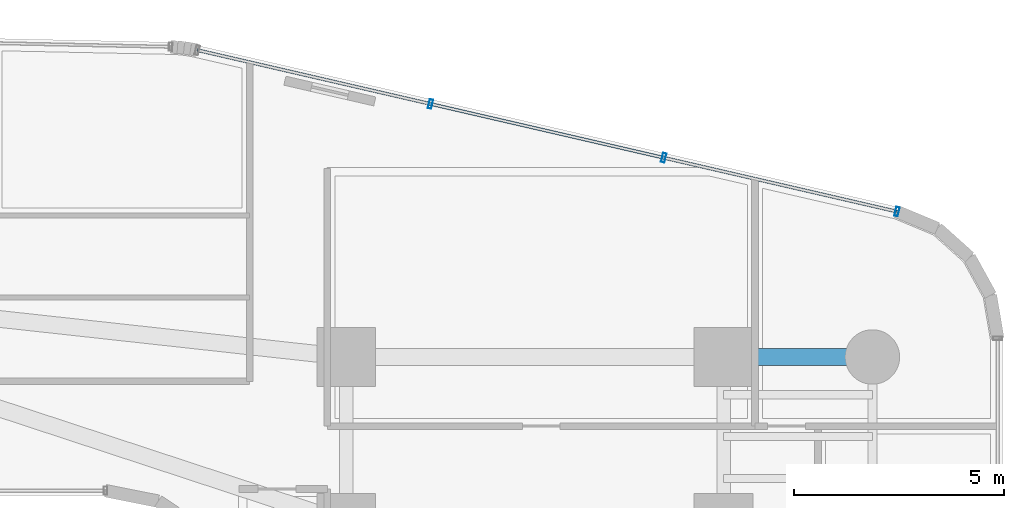
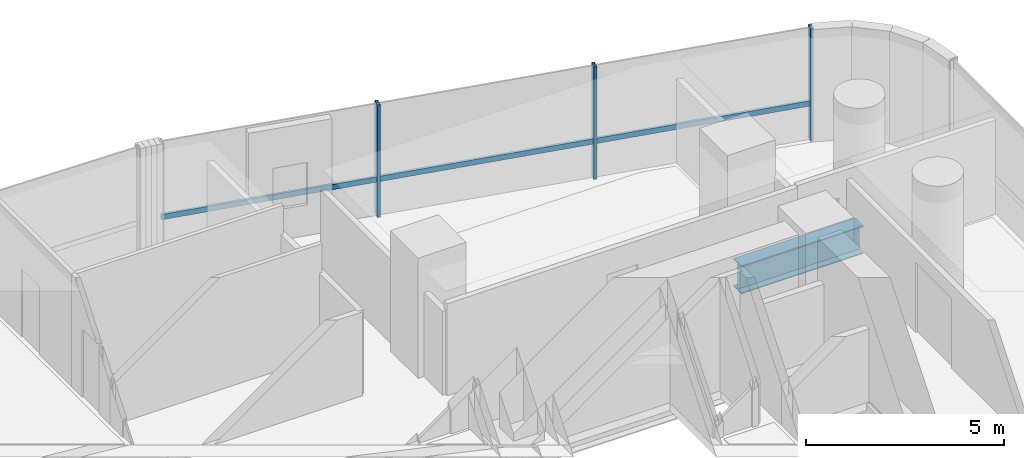
# One storey, part 24 of 41: 4 members, 1 beam, 1 element without a shape of its own.
"""IFC4 building model written with IfcOpenShell, lengths in metres."""

from ifc_helpers import new_model, si_unit, direction, frame, origin, origin_2d, place, context, subcontext, project, spatial, hollow_rectangle, i_section, extrude, source, transform, mapped, material, material_profile, profile_set, type_object, element, aggregate, save


model = new_model("IFC4")

# Units and contexts
model_context = context("Model", 3, precision=1e-05, world=origin(), true_north=direction((0.0, 1.0)))
body_context = subcontext(model_context, "Body", "Model", "MODEL_VIEW")
ifc_project = project(units=[si_unit("LENGTHUNIT", "METRE"), si_unit("AREAUNIT", "SQUARE_METRE"), si_unit("VOLUMEUNIT", "CUBIC_METRE"), si_unit("PLANEANGLEUNIT", "RADIAN"), si_unit("MASSUNIT", "GRAM", prefix="KILO")], contexts=[model_context])

# Site, building, storey
site_placement = place(None, origin())
site = spatial("IfcSite", under=ifc_project, at=site_placement, CompositionType="ELEMENT")
building_placement = place(site_placement, origin())
building = spatial("IfcBuilding", under=site, at=building_placement, Name="Valdorenza Pilgrim Sanctuary Tower", CompositionType="ELEMENT")
storey_placement = place(building_placement, frame((0.0, 0.0, 59.300048828125)))
storey = spatial("IfcBuildingStorey", under=building, at=storey_placement, Name="L14", CompositionType="ELEMENT", Elevation=59.300048828125)

# Beam
ifc_material_1 = material(Name="Steel ASTM A992 Grade 50", Category="steel")
ifc_material_profile_1 = material_profile(ifc_material_1, i_section(OverallWidth=0.39990234375, OverallDepth=0.862060546875, WebThickness=0.019775390625, FlangeThickness=0.032470703125, at=origin_2d()), Name="W33X221")
ifc_profile_set_1 = profile_set([ifc_material_profile_1], Name="Steel ASTM A992 Grade 50")
beam_type = type_object("IfcBeamType", Name="STR-BM-GRD-W33", PredefinedType="BEAM", material=ifc_profile_set_1)
shared_shape_1 = source(origin(), body_context, "Body", "SweptSolid", [
    extrude(i_section(OverallWidth=0.39990234375, OverallDepth=0.862060546875, WebThickness=0.019775390625, FlangeThickness=0.032470703125, at=origin_2d()), origin(), (0.0, 0.0, 1.0), 3.5498046875),
])
beam_placement = place(storey_placement, frame((24.85009765625, 13.5, -0.671142578125), z_axis=(1.0, 0.0, 0.0), x_axis=(0.0, 1.0, 0.0)))
element("IfcBeam", 1, at=beam_placement, inside=storey, type_object=beam_type, Name="L14 Floor Girder WB-XE-N2", PredefinedType="BEAM", context=body_context, shape_type="MappedRepresentation", body=[
    mapped(shared_shape_1, transform((0.0, 0.0, 0.0), x_axis=(1.0, 0.0, 0.0), y_axis=(0.0, 1.0, 0.0), z_axis=(0.0, 0.0, 1.0), scale=1.0)),
])

# Curtain wall, members
ifc_material_2 = material(Name="Curtain-wall IGU glazing", Category="glass")
curtain_wall_type = type_object("IfcCurtainWallType", Name="CW-SYS-03", PredefinedType="NOTDEFINED", material=ifc_material_2)
curtain_wall_placement = place(storey_placement, origin())
curtain_wall = element("IfcCurtainWall", 2, at=curtain_wall_placement, inside=storey, type_object=curtain_wall_type, Name="L14 Curtain Wall CW-L14-1-16", PredefinedType="NOTDEFINED")
ifc_material_3 = material(Name="Anodised aluminium AW-6060", Category="aluminium")
ifc_material_profile_2 = material_profile(ifc_material_3, hollow_rectangle(XDim=0.0849609375, YDim=0.219970703125, WallThickness=0.0048828125, at=origin_2d()), Name="ALU-M 220x85x5")
ifc_profile_set_2 = profile_set([ifc_material_profile_2], Name="Anodised aluminium AW-6060")
member_type_1 = type_object("IfcMemberType", Name="CW-MUL-03", PredefinedType="MULLION", material=ifc_profile_set_2)
shared_shape_2 = source(origin(), body_context, "Body", "SweptSolid", [
    extrude(hollow_rectangle(XDim=0.0849609375, YDim=0.219970703125, WallThickness=0.0048828125, at=origin_2d()), origin(), (0.0, 0.0, 1.0), 3.4599609375),
])
member_1_placement = place(storey_placement, frame((17.861328125, 19.534423828125, 0.0), z_axis=(0.0, 0.0, 1.0), x_axis=(0.974389691758, -0.224866023659, 0.0)))
member_1 = element("IfcMember", 3, at=member_1_placement, type_object=member_type_1, Name="CW-L14-1-16 Mullion 2", PredefinedType="MULLION", context=body_context, shape_type="MappedRepresentation", body=[
    mapped(shared_shape_2, transform((0.0, 0.0, 0.0), x_axis=(1.0, 0.0, 0.0), y_axis=(0.0, 1.0, 0.0), z_axis=(0.0, 0.0, 1.0), scale=1.0)),
])
member_2_placement = place(storey_placement, frame((23.423583984375, 18.2509765625, 0.0), z_axis=(0.0, 0.0, 1.0), x_axis=(0.974389691758, -0.224866023659, 0.0)))
member_2 = element("IfcMember", 4, at=member_2_placement, type_object=member_type_1, Name="CW-L14-1-16 Mullion 3", PredefinedType="MULLION", context=body_context, shape_type="MappedRepresentation", body=[
    mapped(shared_shape_2, transform((0.0, 0.0, 0.0), x_axis=(1.0, 0.0, 0.0), y_axis=(0.0, 1.0, 0.0), z_axis=(0.0, 0.0, 1.0), scale=1.0)),
])
member_3_placement = place(storey_placement, frame((28.98583984375, 16.96728515625, 0.0), z_axis=(0.0, 0.0, 1.0), x_axis=(0.974389691758, -0.224866023659, 0.0)))
member_3 = element("IfcMember", 5, at=member_3_placement, type_object=member_type_1, Name="CW-L14-1-16 Mullion 4", PredefinedType="MULLION", context=body_context, shape_type="MappedRepresentation", body=[
    mapped(shared_shape_2, transform((0.0, 0.0, 0.0), x_axis=(1.0, 0.0, 0.0), y_axis=(0.0, 1.0, 0.0), z_axis=(0.0, 0.0, 1.0), scale=1.0)),
])
ifc_material_profile_3 = material_profile(ifc_material_3, hollow_rectangle(XDim=0.074951171875, YDim=0.159912109375, WallThickness=0.00390625, at=origin_2d()), Name="ALU-T 160x75x4")
ifc_profile_set_3 = profile_set([ifc_material_profile_3], Name="Anodised aluminium AW-6060")
member_type_2 = type_object("IfcMemberType", Name="CW-TRN-03", PredefinedType="USERDEFINED", material=ifc_profile_set_3)
shared_shape_3 = source(origin(), body_context, "Body", "SweptSolid", [
    extrude(hollow_rectangle(XDim=0.074951171875, YDim=0.159912109375, WallThickness=0.00390625, at=origin_2d()), origin(), (0.0, 0.0, 1.0), 17.125244140625),
])
member_4_placement = place(storey_placement, frame((12.299072265625, 20.818115234375, 1.119873046875), z_axis=(0.974390715149, -0.224861589051, 0.0), x_axis=(0.224861589051, 0.974390715149, 0.0)))
member_4 = element("IfcMember", 6, at=member_4_placement, type_object=member_type_2, Name="CW-L14-1-16 Transom 1", ObjectType="TRANSOM", PredefinedType="USERDEFINED", context=body_context, shape_type="MappedRepresentation", body=[
    mapped(shared_shape_3, transform((0.0, 0.0, 0.0), x_axis=(1.0, 0.0, 0.0), y_axis=(0.0, 1.0, 0.0), z_axis=(0.0, 0.0, 1.0), scale=1.0)),
])
aggregate(curtain_wall, [member_1, member_2, member_3, member_4])

save(model, "model.ifc")
